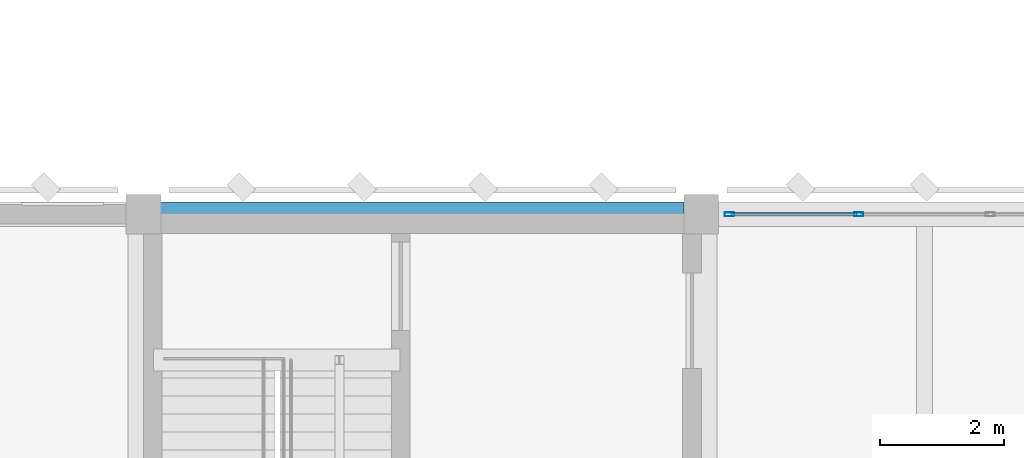
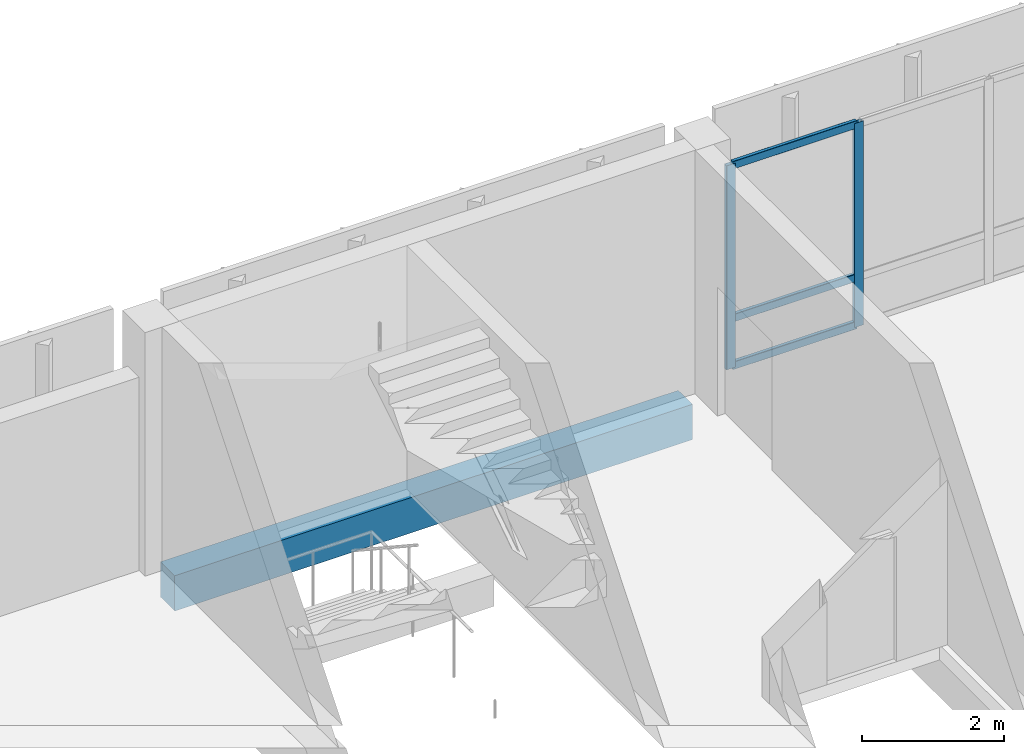
# One storey, part 70 of 158: 5 members, 1 beam, 1 element without a shape of its own.
"""IFC4 building model written with IfcOpenShell, lengths in metres."""

from ifc_helpers import new_model, si_unit, direction, frame, origin, origin_2d, place, context, subcontext, project, spatial, rectangle, hollow_rectangle, extrude, material, material_profile, profile_set, type_object, element, aggregate, save


model = new_model("IFC4")

# Units and contexts
model_context = context("Model", 3, precision=1e-05, world=origin(), true_north=direction((0.0, 1.0)))
body_context = subcontext(model_context, "Body", "Model", "MODEL_VIEW")
ifc_project = project(units=[si_unit("LENGTHUNIT", "METRE"), si_unit("AREAUNIT", "SQUARE_METRE"), si_unit("VOLUMEUNIT", "CUBIC_METRE"), si_unit("PLANEANGLEUNIT", "RADIAN"), si_unit("MASSUNIT", "GRAM", prefix="KILO")], contexts=[model_context])

# Site, building, storey
site_placement = place(None, origin())
site = spatial("IfcSite", under=ifc_project, at=site_placement, CompositionType="ELEMENT")
building_placement = place(site_placement, origin())
building = spatial("IfcBuilding", under=site, at=building_placement, Name="Lusvemor Sports Hall", CompositionType="ELEMENT")
storey_placement = place(building_placement, frame((0.0, 0.0, 10.800048828125)))
storey = spatial("IfcBuildingStorey", under=building, at=storey_placement, Name="L02", CompositionType="ELEMENT", Elevation=10.800048828125)

# Curtain wall, members
ifc_material_1 = material(Name="Thermally broken bronze-anodized aluminium", Category="aluminium")
curtain_wall_type = type_object("IfcCurtainWallType", Name="CW_WING_B", PredefinedType="NOTDEFINED", material=ifc_material_1)
curtain_wall_placement = place(storey_placement, origin())
curtain_wall = element("IfcCurtainWall", 1, at=curtain_wall_placement, inside=storey, type_object=curtain_wall_type, Name="Curtain Wall CW-L02-N-1-11", PredefinedType="NOTDEFINED")
ifc_material_2 = material(Name="Thermally broken bronze-anodized aluminium", Category="aluminium")
ifc_material_profile_1 = material_profile(ifc_material_2, hollow_rectangle(XDim=0.06494140625, YDim=0.14990234375, WallThickness=0.00390625, InnerFilletRadius=0.00390625, OuterFilletRadius=0.008056640625, at=origin_2d()), Name="CWMUL150x65x4")
ifc_profile_set_1 = profile_set([ifc_material_profile_1], Name="Thermally broken bronze-anodized aluminium")
member_type_1 = type_object("IfcMemberType", Name="CW_MUL_B", PredefinedType="MULLION", material=ifc_profile_set_1)
member_1_placement = place(storey_placement, frame((112.052490234375, 115.199951171875, 0.0), z_axis=(0.0, 0.0, 1.0), x_axis=(0.0, 1.0, 0.0)))
member_1 = element("IfcMember", 2, at=member_1_placement, type_object=member_type_1, Name="CW02 mullion 1", PredefinedType="MULLION", context=body_context, shape_type="SweptSolid", body=[
    extrude(hollow_rectangle(XDim=0.06494140625, YDim=0.14990234375, WallThickness=0.00390625, InnerFilletRadius=0.00390625, OuterFilletRadius=0.008056640625, at=origin_2d()), origin(), (0.0, 0.0, 1.0), 3.52001953125),
])
member_2_placement = place(storey_placement, frame((114.139892578125, 115.199951171875, 0.0), z_axis=(0.0, 0.0, 1.0), x_axis=(0.0, 1.0, 0.0)))
member_2 = element("IfcMember", 3, at=member_2_placement, type_object=member_type_1, Name="CW02 mullion 2", PredefinedType="MULLION", context=body_context, shape_type="SweptSolid", body=[
    extrude(hollow_rectangle(XDim=0.06494140625, YDim=0.14990234375, WallThickness=0.00390625, InnerFilletRadius=0.00390625, OuterFilletRadius=0.008056640625, at=origin_2d()), origin(), (0.0, 0.0, 1.0), 3.52001953125),
])
ifc_material_3 = material(Name="Thermally broken bronze-anodized aluminium", Category="aluminium")
ifc_material_profile_2 = material_profile(ifc_material_3, hollow_rectangle(XDim=0.06005859375, YDim=0.135009765625, WallThickness=0.00390625, InnerFilletRadius=0.00390625, OuterFilletRadius=0.008056640625, at=origin_2d()), Name="CWTRN135x60x4")
ifc_profile_set_2 = profile_set([ifc_material_profile_2], Name="Thermally broken bronze-anodized aluminium")
member_type_2 = type_object("IfcMemberType", Name="CW_TRN_B", PredefinedType="USERDEFINED", material=ifc_profile_set_2)
member_3_placement = place(storey_placement, frame((112.0849609375, 115.199951171875, 0.030029296875), z_axis=(1.0, 0.0, 0.0), x_axis=(0.0, 1.0, 0.0)))
member_3 = element("IfcMember", 4, at=member_3_placement, type_object=member_type_2, Name="CW02 transom 1.1", ObjectType="TRANSOM", PredefinedType="USERDEFINED", context=body_context, shape_type="SweptSolid", body=[
    extrude(hollow_rectangle(XDim=0.06005859375, YDim=0.135009765625, WallThickness=0.00390625, InnerFilletRadius=0.00390625, OuterFilletRadius=0.008056640625, at=origin_2d()), origin(), (0.0, 0.0, 1.0), 2.0224609375),
])
member_4_placement = place(storey_placement, frame((112.0849609375, 115.199951171875, 0.849853515625), z_axis=(1.0, 0.0, 0.0), x_axis=(0.0, 1.0, 0.0)))
member_4 = element("IfcMember", 5, at=member_4_placement, type_object=member_type_2, Name="CW02 transom 1.2", ObjectType="TRANSOM", PredefinedType="USERDEFINED", context=body_context, shape_type="SweptSolid", body=[
    extrude(hollow_rectangle(XDim=0.06005859375, YDim=0.135009765625, WallThickness=0.00390625, InnerFilletRadius=0.00390625, OuterFilletRadius=0.008056640625, at=origin_2d()), origin(), (0.0, 0.0, 1.0), 2.0224609375),
])
member_5_placement = place(storey_placement, frame((112.0849609375, 115.199951171875, 3.489990234375), z_axis=(1.0, 0.0, 0.0), x_axis=(0.0, 1.0, 0.0)))
member_5 = element("IfcMember", 6, at=member_5_placement, type_object=member_type_2, Name="CW02 transom 1.3", ObjectType="TRANSOM", PredefinedType="USERDEFINED", context=body_context, shape_type="SweptSolid", body=[
    extrude(hollow_rectangle(XDim=0.06005859375, YDim=0.135009765625, WallThickness=0.00390625, InnerFilletRadius=0.00390625, OuterFilletRadius=0.008056640625, at=origin_2d()), origin(), (0.0, 0.0, 1.0), 2.0224609375),
])
aggregate(curtain_wall, [member_1, member_2, member_3, member_4, member_5])

# Beam
ifc_material_4 = material(Name="Concrete C40/50", Category="concrete")
ifc_material_profile_3 = material_profile(ifc_material_4, rectangle(XDim=0.39990234375, YDim=0.610107421875, at=origin_2d()), Name="RC400x610")
ifc_profile_set_3 = profile_set([ifc_material_profile_3], Name="Concrete C40/50")
beam_type = type_object("IfcBeamType", Name="SPAND_EXT_650", PredefinedType="SPANDREL", material=ifc_profile_set_3)
beam_placement = place(storey_placement, frame((102.8759765625, 115.199951171875, -0.56494140625), z_axis=(1.0, 0.0, 0.0), x_axis=(0.0, 1.0, 0.0)))
element("IfcBeam", 7, at=beam_placement, inside=storey, type_object=beam_type, Name="Beam L02 Q:11-12", PredefinedType="SPANDREL", context=body_context, shape_type="SweptSolid", body=[
    extrude(rectangle(XDim=0.39990234375, YDim=0.610107421875, at=origin_2d()), origin(), (0.0, 0.0, 1.0), 8.447998046875),
])

save(model, "model.ifc")
